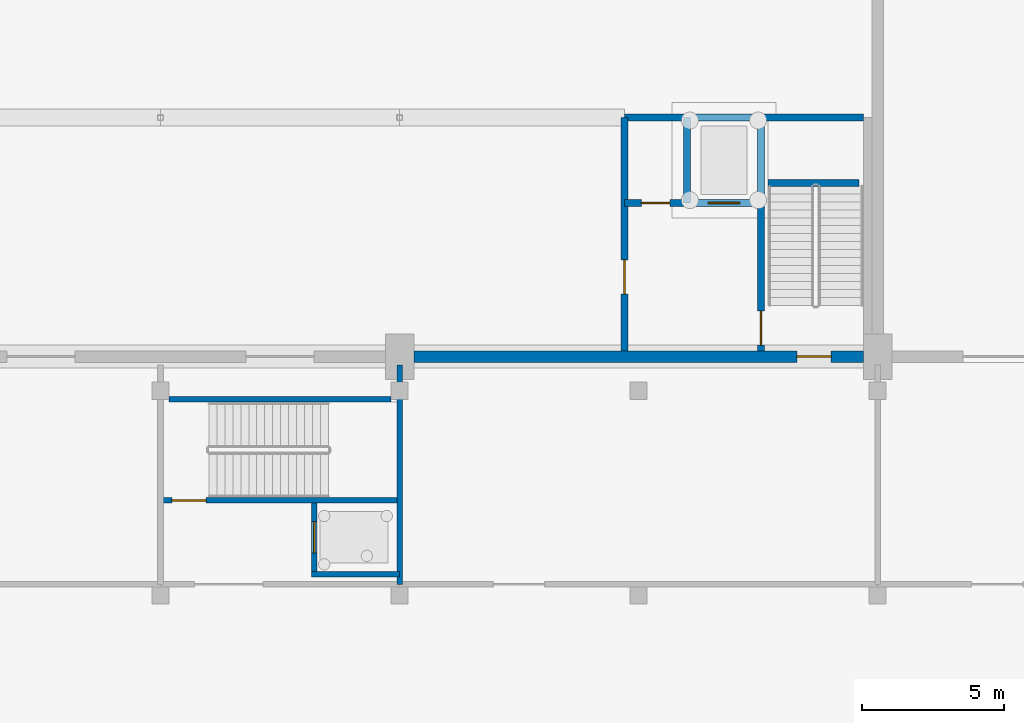
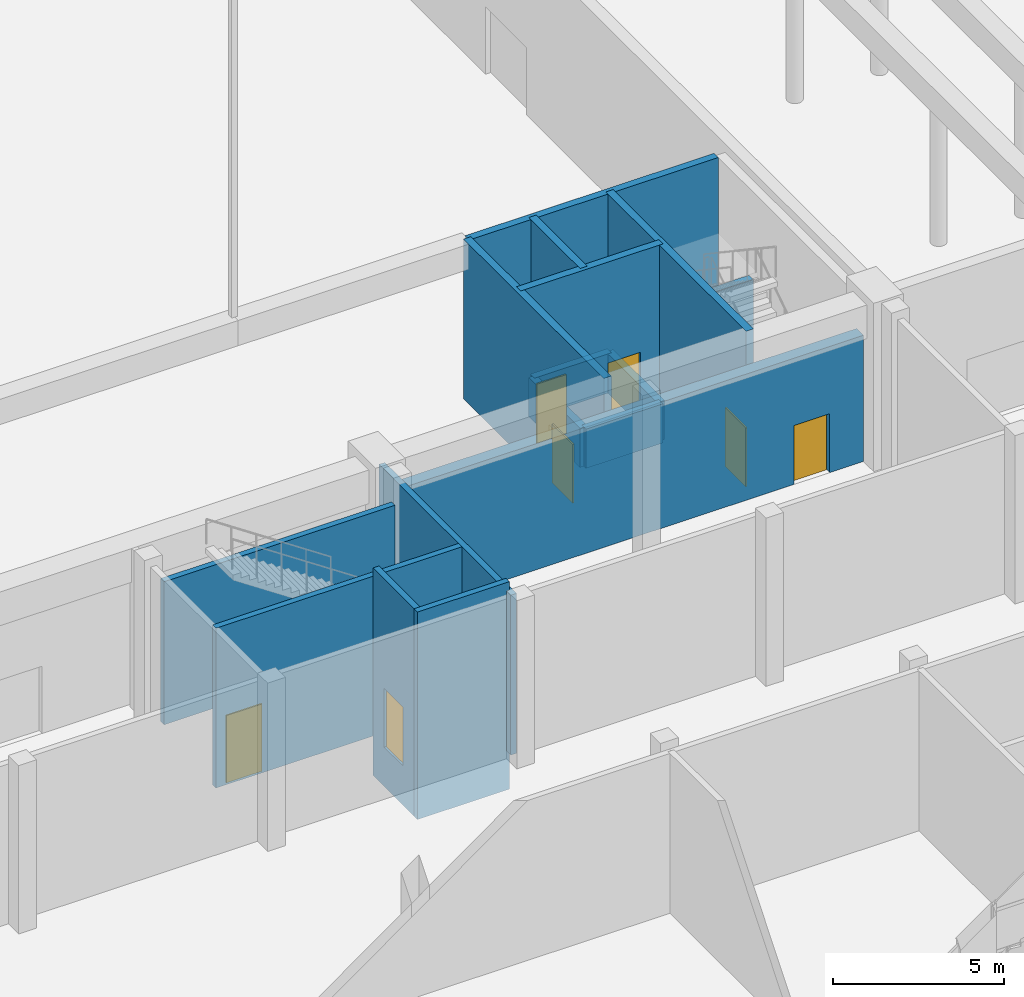
# One storey, part 107 of 210: 16 walls, 7 doors, 7 openings.
"""IFC4 building model written with IfcOpenShell, lengths in metres."""

import ifcopenshell
import ifcopenshell.guid

model = None  # the IFC model being written
_history = None  # IfcOwnerHistory: only IFC2X3 demands one
_inside = {}  # id of a spatial element -> (the spatial element, [elements in it])
_under = {}  # id of a project, library or spatial element -> (it, [spatial elements below it])
_declared = {}  # id of a project -> (the project, [libraries it declares])
_typed = {}  # id of a type object -> (the type object, [elements of that type])
_made_of = {}  # id of a material, layer set ... -> (it, [elements and type objects made of it])


def new_model(schema):
    """Start an empty IFC model of exactly this schema.

    Asked for "IFC4X3", IfcOpenShell would pick the latest addendum, in which some entities
    have other attributes; the version numbers below select the first issue.
    IFC2X3 requires an IfcOwnerHistory on every rooted entity: one is made here for all.
    """
    global model, _history
    if schema == "IFC4X3":
        model = ifcopenshell.file(schema_version=(4, 3, 0, 0))
    else:
        model = ifcopenshell.file(schema=schema)
    _inside.clear()
    _under.clear()
    _declared.clear()
    _typed.clear()
    _made_of.clear()
    _history = None
    if model.schema == "IFC2X3":
        org = make("IfcOrganization", Name="unknown")
        user = make(
            "IfcPersonAndOrganization",
            ThePerson=make("IfcPerson", FamilyName="unknown"),
            TheOrganization=org,
        )
        app = make(
            "IfcApplication",
            ApplicationDeveloper=org,
            Version="unknown",
            ApplicationFullName="unknown",
            ApplicationIdentifier="unknown",
        )
        _history = make(
            "IfcOwnerHistory",
            OwningUser=user,
            OwningApplication=app,
            ChangeAction="ADDED",
            CreationDate=0,
        )
    return model


def make(cls, **values):
    """One entity of the class cls with the attributes given. An attribute that is None is left unset."""
    return model.create_entity(
        cls, **{name: value for name, value in values.items() if value is not None}
    )


def rooted(cls, **values):
    """An entity with a GlobalId (a new one), such as an element, a storey or a relation."""
    return make(cls, GlobalId=ifcopenshell.guid.new(), OwnerHistory=_history, **values)


def si_unit(unit_type, name, prefix=None):
    """IfcSIUnit, for example si_unit("LENGTHUNIT", "METRE", prefix="MILLI")."""
    return make("IfcSIUnit", UnitType=unit_type, Prefix=prefix, Name=name)


def assignment(units):
    """IfcUnitAssignment: the units of a project."""
    return None if units is None else make("IfcUnitAssignment", Units=units)


def point(xyz):
    """IfcCartesianPoint."""
    return None if xyz is None else make("IfcCartesianPoint", Coordinates=xyz)


def direction(xyz):
    """IfcDirection."""
    return None if xyz is None else make("IfcDirection", DirectionRatios=xyz)


def frame(location, z_axis=None, x_axis=None):
    """IfcAxis2Placement3D, a coordinate frame: its origin and axes. An axis left out is left unset."""
    return make(
        "IfcAxis2Placement3D",
        Location=point(location),
        Axis=direction(z_axis),
        RefDirection=direction(x_axis),
    )


def frame_2d(location, x_axis=None):
    """IfcAxis2Placement2D, a coordinate frame in the plane: its origin and x axis."""
    return make(
        "IfcAxis2Placement2D", Location=point(location), RefDirection=direction(x_axis)
    )


def origin():
    """The frame at (0, 0, 0) with its axes left unset."""
    return frame((0.0, 0.0, 0.0))


def place(relative_to, where):
    """IfcLocalPlacement: puts the frame where relative to a parent placement (None: the world)."""
    return make(
        "IfcLocalPlacement", PlacementRelTo=relative_to, RelativePlacement=where
    )


def context(
    kind, dimensions, precision=None, world=None, true_north=None, identifier=None
):
    """IfcGeometricRepresentationContext, for example the 3D "Model" context."""
    return make(
        "IfcGeometricRepresentationContext",
        ContextIdentifier=identifier,
        ContextType=kind,
        CoordinateSpaceDimension=dimensions,
        Precision=precision,
        WorldCoordinateSystem=world,
        TrueNorth=true_north,
    )


def subcontext(parent, identifier, kind, view, scale=None):
    """IfcGeometricRepresentationSubContext, for example "Body" below "Model"."""
    return make(
        "IfcGeometricRepresentationSubContext",
        ContextIdentifier=identifier,
        ContextType=kind,
        ParentContext=parent,
        TargetScale=scale,
        TargetView=view,
    )


def project(units=None, contexts=None):
    """IfcProject with its units and contexts."""
    return rooted(
        "IfcProject",
        Name="project",
        RepresentationContexts=contexts,
        UnitsInContext=assignment(units),
    )


def spatial(cls, under=None, at=None, **own):
    """A site, building, storey or space (cls), placed at a placement, below another one or the project."""
    s = rooted(cls, ObjectPlacement=at, **own)
    if under is not None:
        _under.setdefault(under.id(), (under, []))[1].append(s)
    return s


def profile(cls, at=None, kind="AREA", **sizes):
    """A parametric profile (cls). Its sizes go by their IFC names, for example OverallWidth=200.0."""
    return make(cls, ProfileType=kind, Position=at, **sizes)


def rectangle(**sizes):
    """IfcRectangleProfileDef."""
    return profile("IfcRectangleProfileDef", **sizes)


def extrude(swept, where, along, depth):
    """IfcExtrudedAreaSolid: the profile swept, set in the frame where, extruded along a direction by depth."""
    return make(
        "IfcExtrudedAreaSolid",
        SweptArea=swept,
        Position=where,
        ExtrudedDirection=direction(along),
        Depth=depth,
    )


def shape(context_of_items, identifier, shape_type, items):
    """IfcShapeRepresentation: the items that make up one representation, for example the "Body"."""
    return make(
        "IfcShapeRepresentation",
        ContextOfItems=context_of_items,
        RepresentationIdentifier=identifier,
        RepresentationType=shape_type,
        Items=items,
    )


def material(Name=None, Category=None):
    """IfcMaterial."""
    return make("IfcMaterial", Name=Name, Category=Category)


def layer(
    of_material, thickness, ventilated=None, Name=None, Category=None, Priority=None
):
    """IfcMaterialLayer: one layer of a wall or slab, of a material (None: an air gap)."""
    return make(
        "IfcMaterialLayer",
        Material=of_material,
        LayerThickness=thickness,
        IsVentilated=ventilated,
        Name=Name,
        Category=Category,
        Priority=Priority,
    )


def layer_set(layers, Name=None):
    """IfcMaterialLayerSet."""
    return make("IfcMaterialLayerSet", MaterialLayers=layers, LayerSetName=Name)


def made_of(thing, what):
    """Note that an element or type object is made of a material, layer set ...; save() writes the relation."""
    if what is not None:
        _made_of.setdefault(what.id(), (what, []))[1].append(thing)
    return thing


def type_object(cls, material=None, **own):
    """A type object (cls), such as IfcWallType, which elements share."""
    return made_of(rooted(cls, **own), material)


def element(
    cls,
    number,
    at=None,
    inside=None,
    cuts=None,
    type_object=None,
    material=None,
    context=None,
    identifier="Body",
    shape_type=None,
    held_by="IfcProductDefinitionShape",
    body=None,
    shapes=None,
    **own,
):
    """One element of the class cls, such as IfcWall. Its Tag is "e" and its number.

    at: its placement. inside: the storey or other place that contains it. cuts: it is an
    opening in that element (IfcRelVoidsElement). A single representation is given by context,
    identifier, shape_type and body (its items); several are given by shapes. held_by: the class
    of the entity that holds the representations. save() writes the other relations.
    """
    e = rooted(cls, Tag="e%d" % number, ObjectPlacement=at, **own)
    if body is not None:
        shapes = [shape(context, identifier, shape_type, body)]
    if shapes is not None:
        e.Representation = make(held_by, Representations=shapes)
    if inside is not None:
        _inside.setdefault(inside.id(), (inside, []))[1].append(e)
    if cuts is not None:
        rooted(
            "IfcRelVoidsElement", RelatingBuildingElement=cuts, RelatedOpeningElement=e
        )
    if type_object is not None:
        _typed.setdefault(type_object.id(), (type_object, []))[1].append(e)
    return made_of(e, material)


def fill(opening, filler):
    """IfcRelFillsElement: the door or window that sits in an opening."""
    return rooted(
        "IfcRelFillsElement",
        RelatingOpeningElement=opening,
        RelatedBuildingElement=filler,
    )


def aggregate(whole, parts):
    """IfcRelAggregates: a whole, such as a stair, and the parts it consists of."""
    return rooted("IfcRelAggregates", RelatingObject=whole, RelatedObjects=parts)


def save(model, path):
    """Write the relations noted so far, then the file.

    IfcRelAggregates (storeys below a building ...), IfcRelContainedInSpatialStructure (elements
    in a storey), IfcRelDefinesByType, IfcRelAssociatesMaterial and IfcRelDeclares: one each for
    every whole, place, type object, material and project.
    """
    for whole, parts in _under.values():
        aggregate(whole, parts)
    for where, things in _inside.values():
        rooted(
            "IfcRelContainedInSpatialStructure",
            RelatedElements=things,
            RelatingStructure=where,
        )
    for kind, things in _typed.values():
        rooted("IfcRelDefinesByType", RelatedObjects=things, RelatingType=kind)
    for what, things in _made_of.values():
        rooted("IfcRelAssociatesMaterial", RelatedObjects=things, RelatingMaterial=what)
    for by, libraries in _declared.values():
        rooted("IfcRelDeclares", RelatingContext=by, RelatedDefinitions=libraries)
    model.write(path)


model = new_model("IFC4")

# Units and contexts
model_context = context("Model", 3, precision=1e-05, world=origin(), true_north=direction((0.0, 1.0)))
body_context = subcontext(model_context, "Body", "Model", "MODEL_VIEW")
ifc_project = project(units=[si_unit("LENGTHUNIT", "METRE"), si_unit("AREAUNIT", "SQUARE_METRE"), si_unit("VOLUMEUNIT", "CUBIC_METRE"), si_unit("PLANEANGLEUNIT", "RADIAN"), si_unit("MASSUNIT", "GRAM", prefix="KILO")], contexts=[model_context])

# Site, building, storey
site_placement = place(None, origin())
site = spatial("IfcSite", under=ifc_project, at=site_placement, CompositionType="ELEMENT")
building_placement = place(site_placement, origin())
building = spatial("IfcBuilding", under=site, at=building_placement, Name="Rain Tree Exposition and Congress Centre", CompositionType="ELEMENT")
storey_placement = place(building_placement, origin())
storey = spatial("IfcBuildingStorey", under=building, at=storey_placement, Name="L00", CompositionType="ELEMENT", Elevation=0.0)

# Walls
ifc_material_1 = material(Name="Concrete C40/50", Category="concrete")
ifc_layer_1 = layer(ifc_material_1, 0.199951171875)
ifc_layer_set_1 = layer_set([ifc_layer_1], Name="Concrete C40/50")
wall_type_1 = type_object("IfcWallType", Name="Concourse shaft and core wall 200", PredefinedType="SOLIDWALL", material=ifc_layer_set_1)
wall_1_placement = place(storey_placement, frame((109.199951171875, 100.5, 0.0), z_axis=(0.0, 0.0, 1.0), x_axis=(0.0, -1.0, 0.0)))
element("IfcWall", 1, at=wall_1_placement, inside=storey, type_object=wall_type_1, Name="Concourse core wall L00", PredefinedType="SOLIDWALL", context=body_context, shape_type="SweptSolid", body=[
    extrude(rectangle(XDim=7.699951171875, YDim=0.199951171875, at=frame_2d((3.85009765625, 0.0))), origin(), (0.0, 0.0, 1.0), 5.699951171875),
])
wall_2_placement = place(storey_placement, frame((101.10009765625, 99.300048828125, 0.0), z_axis=(0.0, 0.0, 1.0), x_axis=(1.0, 0.0, 0.0)))
element("IfcWall", 2, at=wall_2_placement, inside=storey, type_object=wall_type_1, Name="Concourse stair wall L00", PredefinedType="SOLIDWALL", context=body_context, shape_type="SweptSolid", body=[
    extrude(rectangle(XDim=7.7998046875, YDim=0.199951171875, at=frame_2d((3.89990234375, 0.0))), origin(), (0.0, 0.0, 1.0), 5.10009765625),
])

# Wall, opening, door
wall_3_placement = place(storey_placement, frame((100.800048828125, 95.75, 0.0), z_axis=(0.0, 0.0, 1.0), x_axis=(1.0, 0.0, 0.0)))
wall_3 = element("IfcWall", 3, at=wall_3_placement, inside=storey, type_object=wall_type_1, Name="Concourse stair wall L00", PredefinedType="SOLIDWALL", context=body_context, shape_type="SweptSolid", body=[
    extrude(rectangle(XDim=8.39990234375, YDim=0.199951171875, at=frame_2d((4.199951171875, 0.0))), origin(), (0.0, 0.0, 1.0), 5.699951171875),
])
opening_1_placement = place(wall_3_placement, frame((0.39990234375, 0.0, 0.0)))
opening_1 = element("IfcOpeningElement", 4, at=opening_1_placement, cuts=wall_3, Name="Opening DC134", PredefinedType="OPENING", context=body_context, shape_type="SweptSolid", body=[
    extrude(rectangle(XDim=1.199951171875, YDim=2.39990234375, at=frame_2d((0.60009765625, 1.199951171875))), frame((0.0, 0.10009765625, 0.0), z_axis=(0.0, -1.0, 0.0), x_axis=(1.0, 0.0, 0.0)), (0.0, 0.0, 1.0), 0.199951171875),
])
ifc_material_2 = material(Name="Aluminium framed glazed door", Category="aluminium")
door_type_1 = type_object("IfcDoorType", Name="Concourse single door 1200x2400", OperationType="NOTDEFINED", PredefinedType="DOOR", material=ifc_material_2)
door_1_placement = place(opening_1_placement, origin())
door_1 = element("IfcDoor", 5, at=door_1_placement, inside=storey, type_object=door_type_1, Name="Stair door DC134", OperationType="SINGLE_SWING_LEFT", OverallHeight=2.39990234375, OverallWidth=1.199951171875, PredefinedType="DOOR", context=body_context, shape_type="SweptSolid", body=[
    extrude(rectangle(XDim=1.199951171875, YDim=2.39990234375, at=frame_2d((0.60009765625, 1.199951171875))), frame((0.0, 0.02490234375, 0.0), z_axis=(0.0, -1.0, 0.0), x_axis=(1.0, 0.0, 0.0)), (0.0, 0.0, 1.0), 0.050048828125),
])
fill(opening_1, door_1)

wall_4_placement = place(storey_placement, frame((106.199951171875, 93.050048828125, -1.39990234375), z_axis=(0.0, 0.0, 1.0), x_axis=(0.0, 1.0, 0.0)))
wall_4 = element("IfcWall", 6, at=wall_4_placement, inside=storey, type_object=wall_type_1, Name="Concourse lift shaft wall L00", PredefinedType="SOLIDWALL", context=body_context, shape_type="SweptSolid", body=[
    extrude(rectangle(XDim=2.599853515625, YDim=0.199951171875, at=frame_2d((1.2998046875, 0.0))), origin(), (0.0, 0.0, 1.0), 7.39990234375),
])
opening_2_placement = place(wall_4_placement, frame((0.85009765625, 0.0, 1.39990234375)))
opening_2 = element("IfcOpeningElement", 7, at=opening_2_placement, cuts=wall_4, Name="Opening DC136", PredefinedType="OPENING", context=body_context, shape_type="SweptSolid", body=[
    extrude(rectangle(XDim=1.10009765625, YDim=2.10009765625, at=frame_2d((0.550048828125, 1.050048828125))), frame((0.0, 0.10009765625, 0.0), z_axis=(0.0, -1.0, 0.0), x_axis=(1.0, 0.0, 0.0)), (0.0, 0.0, 1.0), 0.199951171875),
])
ifc_material_3 = material(Name="Stainless steel", Category="steel")
door_type_2 = type_object("IfcDoorType", Name="Lift landing door 1100x2100", OperationType="DOUBLE_DOOR_SLIDING", PredefinedType="DOOR", material=ifc_material_3)
door_2_placement = place(opening_2_placement, origin())
door_2 = element("IfcDoor", 8, at=door_2_placement, inside=storey, type_object=door_type_2, Name="Lift landing door DC136", OperationType="DOUBLE_DOOR_SLIDING", OverallHeight=2.10009765625, OverallWidth=1.10009765625, PredefinedType="DOOR", context=body_context, shape_type="SweptSolid", body=[
    extrude(rectangle(XDim=1.10009765625, YDim=2.10009765625, at=frame_2d((0.550048828125, 1.050048828125))), frame((0.0, 0.02490234375, 0.0), z_axis=(0.0, -1.0, 0.0), x_axis=(1.0, 0.0, 0.0)), (0.0, 0.0, 1.0), 0.050048828125),
])
fill(opening_2, door_2)

# Wall
wall_5_placement = place(storey_placement, frame((106.10009765625, 93.14990234375, -1.39990234375), z_axis=(0.0, 0.0, 1.0), x_axis=(1.0, 0.0, 0.0)))
element("IfcWall", 9, at=wall_5_placement, inside=storey, type_object=wall_type_1, Name="Concourse lift shaft wall L00", PredefinedType="SOLIDWALL", context=body_context, shape_type="SweptSolid", body=[
    extrude(rectangle(XDim=3.099853515625, YDim=0.199951171875, at=frame_2d((1.5498046875, 0.0))), origin(), (0.0, 0.0, 1.0), 7.39990234375),
])

# Wall, opening, door
ifc_material_4 = material(Name="Concrete C40/50", Category="concrete")
ifc_layer_2 = layer(ifc_material_4, 0.25)
ifc_layer_set_2 = layer_set([ifc_layer_2], Name="Concrete C40/50")
wall_type_2 = type_object("IfcWallType", Name="Core wall 250", PredefinedType="SHEAR", material=ifc_layer_set_2)
wall_6_placement = place(storey_placement, frame((121.89990234375, 101.0, 0.0), z_axis=(0.0, 0.0, 1.0), x_axis=(0.0, 1.0, 0.0)))
wall_6 = element("IfcWall", 10, at=wall_6_placement, inside=storey, type_object=wall_type_2, Name="Stair wall 2", PredefinedType="SHEAR", context=body_context, shape_type="SweptSolid", body=[
    extrude(rectangle(XDim=8.199951171875, YDim=0.25, at=frame_2d((4.10009765625, 0.0))), origin(), (0.0, 0.0, 1.0), 5.699951171875),
])
opening_3_placement = place(wall_6_placement, frame((0.199951171875, 0.0, 0.0)))
opening_3 = element("IfcOpeningElement", 11, at=opening_3_placement, cuts=wall_6, Name="Opening DH189", PredefinedType="OPENING", context=body_context, shape_type="SweptSolid", body=[
    extrude(rectangle(XDim=1.199951171875, YDim=2.10009765625, at=frame_2d((0.60009765625, 1.050048828125))), frame((0.0, 0.125, 0.0), z_axis=(0.0, -1.0, 0.0), x_axis=(1.0, 0.0, 0.0)), (0.0, 0.0, 1.0), 0.25),
])
ifc_material_5 = material(Name="Painted steel fire door", Category="steel")
door_type_3 = type_object("IfcDoorType", Name="Stair fire door 1200x2100", OperationType="NOTDEFINED", PredefinedType="DOOR", material=ifc_material_5)
door_3_placement = place(opening_3_placement, origin())
door_3 = element("IfcDoor", 12, at=door_3_placement, inside=storey, type_object=door_type_3, Name="Door DH189", OperationType="SINGLE_SWING_LEFT", OverallHeight=2.10009765625, OverallWidth=1.199951171875, PredefinedType="DOOR", context=body_context, shape_type="SweptSolid", body=[
    extrude(rectangle(XDim=1.199951171875, YDim=2.10009765625, at=frame_2d((0.60009765625, 1.050048828125))), frame((0.0, 0.02490234375, 0.0), z_axis=(0.0, -1.0, 0.0), x_axis=(1.0, 0.0, 0.0)), (0.0, 0.0, 1.0), 0.050048828125),
])
fill(opening_3, door_3)

# Wall
wall_7_placement = place(storey_placement, frame((125.5, 109.199951171875, 0.0), z_axis=(0.0, 0.0, 1.0), x_axis=(-1.0, 0.0, 0.0)))
element("IfcWall", 13, at=wall_7_placement, inside=storey, type_object=wall_type_2, Name="Core north wall 2", PredefinedType="SHEAR", context=body_context, shape_type="SweptSolid", body=[
    extrude(rectangle(XDim=8.39990234375, YDim=0.25, at=frame_2d((4.199951171875, 0.0))), origin(), (0.0, 0.0, 1.0), 5.699951171875),
])

# Wall, opening, door
wall_8_placement = place(storey_placement, frame((117.10009765625, 101.0, 0.0), z_axis=(0.0, 0.0, 1.0), x_axis=(0.0, 1.0, 0.0)))
wall_8 = element("IfcWall", 14, at=wall_8_placement, inside=storey, type_object=wall_type_2, Name="Core east wall 2", PredefinedType="SHEAR", context=body_context, shape_type="SweptSolid", body=[
    extrude(rectangle(XDim=8.199951171875, YDim=0.25, at=frame_2d((4.10009765625, 0.0))), origin(), (0.0, 0.0, 1.0), 5.699951171875),
])
opening_4_placement = place(wall_8_placement, frame((2.0, 0.0, 0.0)))
opening_4 = element("IfcOpeningElement", 15, at=opening_4_placement, cuts=wall_8, Name="Opening DH190", PredefinedType="OPENING", context=body_context, shape_type="SweptSolid", body=[
    extrude(rectangle(XDim=1.199951171875, YDim=2.10009765625, at=frame_2d((0.60009765625, 1.050048828125))), frame((0.0, 0.125, 0.0), z_axis=(0.0, -1.0, 0.0), x_axis=(1.0, 0.0, 0.0)), (0.0, 0.0, 1.0), 0.25),
])
ifc_material_6 = material(Name="Painted steel fire door", Category="steel")
door_type_4 = type_object("IfcDoorType", Name="Lobby fire door 1200x2100", OperationType="NOTDEFINED", PredefinedType="DOOR", material=ifc_material_6)
door_4_placement = place(opening_4_placement, origin())
door_4 = element("IfcDoor", 16, at=door_4_placement, inside=storey, type_object=door_type_4, Name="Door DH190", OperationType="SINGLE_SWING_LEFT", OverallHeight=2.10009765625, OverallWidth=1.199951171875, PredefinedType="DOOR", context=body_context, shape_type="SweptSolid", body=[
    extrude(rectangle(XDim=1.199951171875, YDim=2.10009765625, at=frame_2d((0.60009765625, 1.050048828125))), frame((0.0, 0.02490234375, 0.0), z_axis=(0.0, -1.0, 0.0), x_axis=(1.0, 0.0, 0.0)), (0.0, 0.0, 1.0), 0.050048828125),
])
fill(opening_4, door_4)

# Wall, openings, doors
wall_9_placement = place(storey_placement, frame((121.89990234375, 106.199951171875, 0.0), z_axis=(0.0, 0.0, 1.0), x_axis=(-1.0, 0.0, 0.0)))
wall_9 = element("IfcWall", 17, at=wall_9_placement, inside=storey, type_object=wall_type_2, Name="Lift lobby wall 2", PredefinedType="SHEAR", context=body_context, shape_type="SweptSolid", body=[
    extrude(rectangle(XDim=4.7998046875, YDim=0.25, at=frame_2d((2.39990234375, 0.0))), origin(), (0.0, 0.0, 1.0), 5.699951171875),
])
opening_5_placement = place(wall_9_placement, frame((0.75, 0.0, 0.0)))
opening_5 = element("IfcOpeningElement", 18, at=opening_5_placement, cuts=wall_9, Name="Opening DH191", PredefinedType="OPENING", context=body_context, shape_type="SweptSolid", body=[
    extrude(rectangle(XDim=1.10009765625, YDim=2.10009765625, at=frame_2d((0.550048828125, 1.050048828125))), frame((0.0, 0.125, 0.0), z_axis=(0.0, -1.0, 0.0), x_axis=(1.0, 0.0, 0.0)), (0.0, 0.0, 1.0), 0.25),
])
opening_6_placement = place(wall_9_placement, frame((3.199951171875, 0.0, 0.0)))
opening_6 = element("IfcOpeningElement", 19, at=opening_6_placement, cuts=wall_9, Name="Opening DH192", PredefinedType="OPENING", context=body_context, shape_type="SweptSolid", body=[
    extrude(rectangle(XDim=1.0, YDim=2.10009765625, at=frame_2d((0.5, 1.050048828125))), frame((0.0, 0.125, 0.0), z_axis=(0.0, -1.0, 0.0), x_axis=(1.0, 0.0, 0.0)), (0.0, 0.0, 1.0), 0.25),
])
door_5_placement = place(opening_5_placement, origin())
door_5 = element("IfcDoor", 20, at=door_5_placement, inside=storey, type_object=door_type_2, Name="Door DH191", OperationType="DOUBLE_DOOR_SLIDING", OverallHeight=2.10009765625, OverallWidth=1.10009765625, PredefinedType="DOOR", context=body_context, shape_type="SweptSolid", body=[
    extrude(rectangle(XDim=1.10009765625, YDim=2.10009765625, at=frame_2d((0.550048828125, 1.050048828125))), frame((0.0, 0.02490234375, 0.0), z_axis=(0.0, -1.0, 0.0), x_axis=(1.0, 0.0, 0.0)), (0.0, 0.0, 1.0), 0.050048828125),
])
fill(opening_5, door_5)
ifc_material_7 = material(Name="Painted steel door", Category="steel")
door_type_5 = type_object("IfcDoorType", Name="Single leaf door 1000x2100", OperationType="NOTDEFINED", PredefinedType="DOOR", material=ifc_material_7)
door_6_placement = place(opening_6_placement, origin())
door_6 = element("IfcDoor", 21, at=door_6_placement, inside=storey, type_object=door_type_5, Name="Door DH192", OperationType="SINGLE_SWING_RIGHT", OverallHeight=2.10009765625, OverallWidth=1.0, PredefinedType="DOOR", context=body_context, shape_type="SweptSolid", body=[
    extrude(rectangle(XDim=1.0, YDim=2.10009765625, at=frame_2d((0.5, 1.050048828125))), frame((0.0, 0.02490234375, 0.0), z_axis=(0.0, -1.0, 0.0), x_axis=(1.0, 0.0, 0.0)), (0.0, 0.0, 1.0), 0.050048828125),
])
fill(opening_6, door_6)

# Walls
wall_10_placement = place(storey_placement, frame((119.300048828125, 106.199951171875, 0.0), z_axis=(0.0, 0.0, 1.0), x_axis=(0.0, 1.0, 0.0)))
element("IfcWall", 22, at=wall_10_placement, inside=storey, type_object=wall_type_2, Name="Lift shaft wall 2", PredefinedType="SHEAR", context=body_context, shape_type="SweptSolid", body=[
    extrude(rectangle(XDim=3.0, YDim=0.25, at=frame_2d((1.5, 0.0))), origin(), (0.0, 0.0, 1.0), 5.699951171875),
])
wall_11_placement = place(storey_placement, frame((125.35009765625, 106.89990234375, 0.0), z_axis=(0.0, 0.0, 1.0), x_axis=(-1.0, 0.0, 0.0)))
element("IfcWall", 23, at=wall_11_placement, inside=storey, type_object=wall_type_2, Name="Stair landing wall 2", PredefinedType="SHEAR", context=body_context, shape_type="SweptSolid", body=[
    extrude(rectangle(XDim=3.2001953125, YDim=0.25, at=frame_2d((1.60009765625, 0.0))), origin(), (0.0, 0.0, 1.0), 2.800048828125),
])

# Wall, opening, door
ifc_material_8 = material(Name="Precast concrete C50/60", Category="concrete")
ifc_layer_3 = layer(ifc_material_8, 0.39990234375)
ifc_layer_set_3 = layer_set([ifc_layer_3], Name="Precast concrete C50/60")
wall_type_3 = type_object("IfcWallType", Name="Hall precast wall 400", PredefinedType="STANDARD", material=ifc_layer_set_3)
wall_12_placement = place(storey_placement, frame((109.699951171875, 100.800048828125, 0.0), z_axis=(0.0, 0.0, 1.0), x_axis=(1.0, 0.0, 0.0)))
wall_12 = element("IfcWall", 24, at=wall_12_placement, inside=storey, type_object=wall_type_3, Name="Cladding wall S7", PredefinedType="STANDARD", context=body_context, shape_type="SweptSolid", body=[
    extrude(rectangle(XDim=15.800048828125, YDim=0.39990234375, at=frame_2d((7.89990234375, 0.0))), origin(), (0.0, 0.0, 1.0), 4.5),
])
opening_7_placement = place(wall_12_placement, frame((13.46240234375, 0.0, 0.0)))
opening_7 = element("IfcOpeningElement", 25, at=opening_7_placement, cuts=wall_12, Name="Opening DH112", PredefinedType="OPENING", context=body_context, shape_type="SweptSolid", body=[
    extrude(rectangle(XDim=1.199951171875, YDim=2.10009765625, at=frame_2d((0.60009765625, 1.050048828125))), frame((0.0, 0.199951171875, 0.0), z_axis=(0.0, -1.0, 0.0), x_axis=(1.0, 0.0, 0.0)), (0.0, 0.0, 1.0), 0.39990234375),
])
door_7_placement = place(opening_7_placement, origin())
door_7 = element("IfcDoor", 26, at=door_7_placement, inside=storey, type_object=door_type_3, Name="Door DH112", OperationType="SINGLE_SWING_RIGHT", OverallHeight=2.10009765625, OverallWidth=1.199951171875, PredefinedType="DOOR", context=body_context, shape_type="SweptSolid", body=[
    extrude(rectangle(XDim=1.199951171875, YDim=2.10009765625, at=frame_2d((0.60009765625, 1.050048828125))), frame((0.0, 0.02490234375, 0.0), z_axis=(0.0, -1.0, 0.0), x_axis=(1.0, 0.0, 0.0)), (0.0, 0.0, 1.0), 0.050048828125),
])
fill(opening_7, door_7)

# Walls
ifc_material_9 = material(Name="Concrete C40/50", Category="concrete")
ifc_layer_4 = layer(ifc_material_9, 0.25)
ifc_layer_set_4 = layer_set([ifc_layer_4], Name="Concrete C40/50")
wall_type_4 = type_object("IfcWallType", Name="Lift pit wall 250", PredefinedType="SHEAR", material=ifc_layer_set_4)
for number, where, z_axis, x_axis, name in (
    (27, (121.89990234375, 106.199951171875, -1.39990234375), (0.0, 0.0, 1.0), (0.0, 1.0, 0.0), "Lift pit wall 2.1"),
    (28, (119.300048828125, 106.199951171875, -1.39990234375), (0.0, 0.0, 1.0), (0.0, 1.0, 0.0), "Lift pit wall 2.2"),
):
    element("IfcWall", number, at=place(storey_placement, frame(where, z_axis=z_axis, x_axis=x_axis)), inside=storey, type_object=wall_type_4, Name=name, PredefinedType="SHEAR", context=body_context, shape_type="SweptSolid", body=[
        extrude(rectangle(XDim=3.0, YDim=0.25, at=frame_2d((1.5, 0.0))), origin(), (0.0, 0.0, 1.0), 1.39990234375),
    ])
for number, where, z_axis, x_axis, name in (
    (29, (121.89990234375, 106.199951171875, -1.39990234375), (0.0, 0.0, 1.0), (-1.0, 0.0, 0.0), "Lift pit wall 2.3"),
    (30, (121.89990234375, 109.199951171875, -1.39990234375), (0.0, 0.0, 1.0), (-1.0, 0.0, 0.0), "Lift pit wall 2.4"),
):
    element("IfcWall", number, at=place(storey_placement, frame(where, z_axis=z_axis, x_axis=x_axis)), inside=storey, type_object=wall_type_4, Name=name, PredefinedType="SHEAR", context=body_context, shape_type="SweptSolid", body=[
        extrude(rectangle(XDim=2.599853515625, YDim=0.25, at=frame_2d((1.2998046875, 0.0))), origin(), (0.0, 0.0, 1.0), 1.39990234375),
    ])

save(model, "model.ifc")
